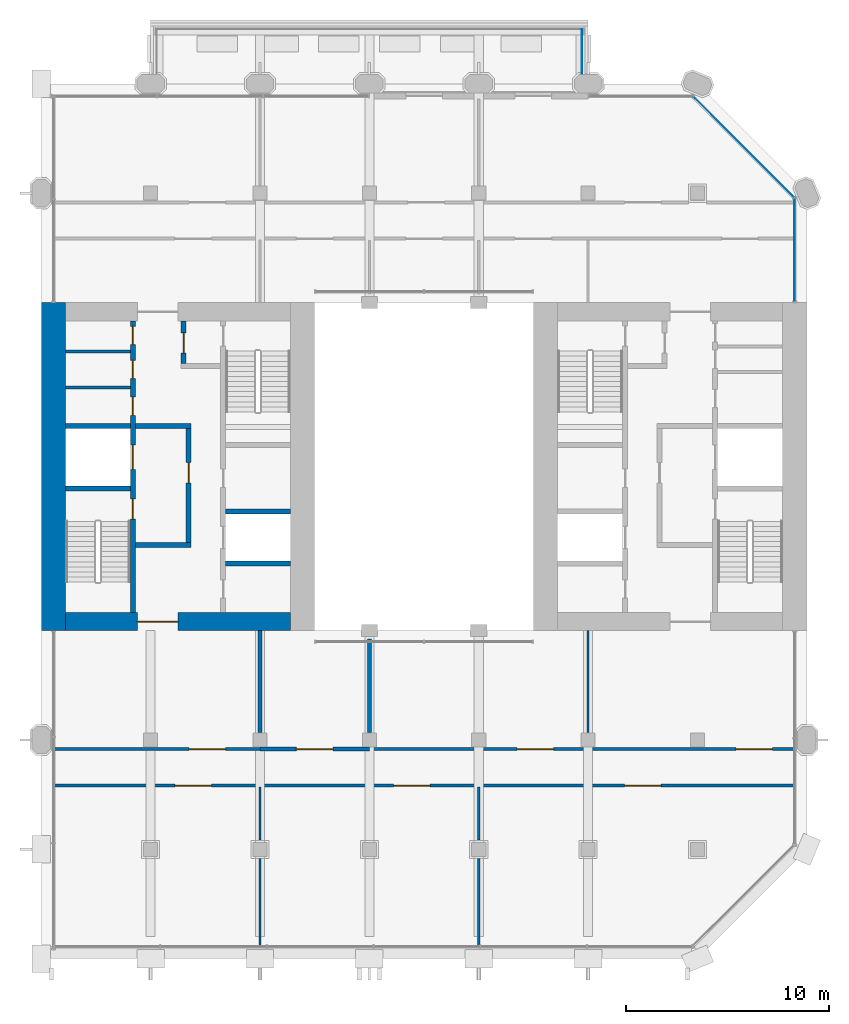
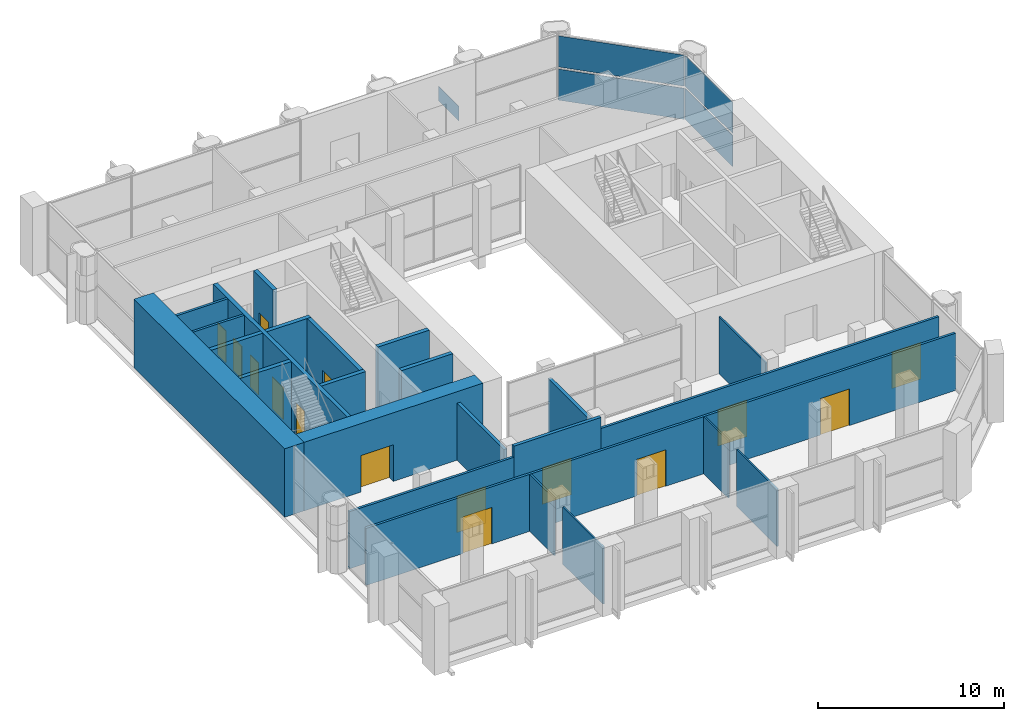
# One storey, part 8 of 13: 24 walls, 15 doors, 5 plates, 15 openings, 2 elements without a shape of their own.
"""IFC4 building model written with IfcOpenShell, lengths in metres."""

from ifc_helpers import new_model, si_unit, direction, frame, frame_2d, origin, origin_2d, place, context, subcontext, project, spatial, rectangle, extrude, material, layer, layer_set, type_object, element, fill, aggregate, save


model = new_model("IFC4")

# Units and contexts
model_context = context("Model", 3, precision=1e-05, world=origin(), true_north=direction((0.0, 1.0)))
body_context = subcontext(model_context, "Body", "Model", "MODEL_VIEW")
ifc_project = project(units=[si_unit("LENGTHUNIT", "METRE"), si_unit("AREAUNIT", "SQUARE_METRE"), si_unit("VOLUMEUNIT", "CUBIC_METRE"), si_unit("PLANEANGLEUNIT", "RADIAN"), si_unit("MASSUNIT", "GRAM", prefix="KILO")], contexts=[model_context])

# Site, building, storey
site_placement = place(None, origin())
site = spatial("IfcSite", under=ifc_project, at=site_placement, CompositionType="ELEMENT")
building_placement = place(site_placement, origin())
building = spatial("IfcBuilding", under=site, at=building_placement, Name="Tabaq Tower and Sports Hall", CompositionType="ELEMENT")
storey_placement = place(building_placement, frame((0.0, 0.0, 255.699951171875)))
storey = spatial("IfcBuildingStorey", under=building, at=storey_placement, Name="L62", CompositionType="ELEMENT", Elevation=255.699951171875)

# Curtain wall, plates
ifc_material_1 = material(Name="Aluminium alloy 6063-T6 framed glazing", Category="aluminium")
curtain_wall_type = type_object("IfcCurtainWallType", Name="CW3 curtain wall", PredefinedType="USERDEFINED", material=ifc_material_1)
curtain_wall_1_placement = place(storey_placement, origin())
curtain_wall_1 = element("IfcCurtainWall", 1, at=curtain_wall_1_placement, inside=storey, type_object=curtain_wall_type, Name="Garden Floor Wall L62 E", ObjectType="GARDEN FLOOR WALL", PredefinedType="USERDEFINED")
ifc_material_2 = material(Name="Clear low-emissivity glass 28 mm", Category="glass")
ifc_layer_1 = layer(ifc_material_2, 0.028076171875)
ifc_layer_set_1 = layer_set([ifc_layer_1], Name="CW3 glass panel 28")
plate_type_1 = type_object("IfcPlateType", Name="CW3 glass panel 28", PredefinedType="CURTAIN_PANEL", material=ifc_layer_set_1)
plate_1_placement = place(storey_placement, frame((42.60009765625, 35.0068359375, 0.14013671875), z_axis=(0.0, 0.0, 1.0), x_axis=(0.0, 1.0, 0.0)))
plate_1 = element("IfcPlate", 2, at=plate_1_placement, type_object=plate_type_1, Name="CW3 panel 1.1", PredefinedType="CURTAIN_PANEL", context=body_context, shape_type="SweptSolid", body=[
    extrude(rectangle(XDim=5.093505859375, YDim=0.028076171875, at=origin_2d()), origin(), (0.0, 0.0, 1.0), 2.0400390625),
])
plate_2_placement = place(storey_placement, frame((42.60009765625, 35.0068359375, 2.320068359375), z_axis=(0.0, 0.0, 1.0), x_axis=(0.0, 1.0, 0.0)))
plate_2 = element("IfcPlate", 3, at=plate_2_placement, type_object=plate_type_1, Name="CW3 panel 1.2", PredefinedType="CURTAIN_PANEL", context=body_context, shape_type="SweptSolid", body=[
    extrude(rectangle(XDim=5.093505859375, YDim=0.028076171875, at=origin_2d()), origin(), (0.0, 0.0, 1.0), 2.0400390625),
])
aggregate(curtain_wall_1, [plate_1, plate_2])

curtain_wall_2_placement = place(storey_placement, origin())
curtain_wall_2 = element("IfcCurtainWall", 4, at=curtain_wall_2_placement, inside=storey, type_object=curtain_wall_type, Name="Garden Floor Wall L62 NE", ObjectType="GARDEN FLOOR WALL", PredefinedType="USERDEFINED")
plate_3_placement = place(storey_placement, frame((40.07568359375, 40.07568359375, 0.14013671875), z_axis=(0.0, 0.0, 1.0), x_axis=(-0.707106781187, 0.707106781187, 0.0)))
plate_3 = element("IfcPlate", 5, at=plate_3_placement, type_object=plate_type_1, Name="CW3 panel 1.1", PredefinedType="CURTAIN_PANEL", context=body_context, shape_type="SweptSolid", body=[
    extrude(rectangle(XDim=7.019775390625, YDim=0.028076171875, at=origin_2d()), origin(), (0.0, 0.0, 1.0), 2.0400390625),
])
plate_4_placement = place(storey_placement, frame((40.07568359375, 40.07568359375, 2.320068359375), z_axis=(0.0, 0.0, 1.0), x_axis=(-0.707106781187, 0.707106781187, 0.0)))
plate_4 = element("IfcPlate", 6, at=plate_4_placement, type_object=plate_type_1, Name="CW3 panel 1.2", PredefinedType="CURTAIN_PANEL", context=body_context, shape_type="SweptSolid", body=[
    extrude(rectangle(XDim=7.019775390625, YDim=0.028076171875, at=origin_2d()), origin(), (0.0, 0.0, 1.0), 2.0400390625),
])
aggregate(curtain_wall_2, [plate_3, plate_4])

# Plate
ifc_material_3 = material(Name="Clear low-emissivity glass 28 mm", Category="glass")
ifc_layer_2 = layer(ifc_material_3, 0.02001953125)
ifc_layer_set_2 = layer_set([ifc_layer_2], Name="Laminated glass tray guard panel 20")
plate_type_2 = type_object("IfcPlateType", Name="Laminated glass tray guard panel 20", PredefinedType="USERDEFINED", material=ifc_layer_set_2)
plate_5_placement = place(storey_placement, frame((32.10009765625, 43.699951171875, 0.0), z_axis=(0.0, 0.0, 1.0), x_axis=(0.0, 1.0, 0.0)))
element("IfcPlate", 7, at=plate_5_placement, inside=storey, type_object=plate_type_2, Name="Tray guard glass L62", ObjectType="GUARD GLASS", PredefinedType="USERDEFINED", context=body_context, shape_type="SweptSolid", body=[
    extrude(rectangle(XDim=2.199951171875, YDim=0.02001953125, at=frame_2d((1.10009765625, 0.0))), origin(), (0.0, 0.0, 1.0), 0.949951171875),
])

# Walls
ifc_material_4 = material(Name="Blockwork", Category="masonry")
ifc_layer_3 = layer(ifc_material_4, 0.14990234375)
ifc_layer_set_3 = layer_set([ifc_layer_3], Name="Core room partition 150 Blockwork")
wall_type_1 = type_object("IfcWallType", Name="Core room partition 150 Blockwork", PredefinedType="PARTITIONING", material=ifc_layer_set_3)
for number, where, z_axis, x_axis, name in (
    (8, (6.60009765625, 28.200927734375, 0.0), (0.0, 0.0, 1.0), (1.0, 0.0, 0.0), "Core room partition W L62"),
    (9, (6.60009765625, 29.97705078125, 0.0), (0.0, 0.0, 1.0), (1.0, 0.0, 0.0), "Core room partition W L62"),
):
    element("IfcWall", number, at=place(storey_placement, frame(where, z_axis=z_axis, x_axis=x_axis)), inside=storey, type_object=wall_type_1, Name=name, PredefinedType="PARTITIONING", context=body_context, shape_type="SweptSolid", body=[
        extrude(rectangle(XDim=3.199951171875, YDim=0.14990234375, at=frame_2d((1.60009765625, 0.0))), origin(), (0.0, 0.0, 1.0), 4.5),
    ])
ifc_material_5 = material(Name="Concrete C40/50", Category="concrete")
ifc_layer_4 = layer(ifc_material_5, 1.199951171875)
ifc_layer_set_4 = layer_set([ifc_layer_4], Name="Core wall 1200 Concrete C40/50")
wall_type_2 = type_object("IfcWallType", Name="Core wall 1200 Concrete C40/50", PredefinedType="SOLIDWALL", material=ifc_layer_set_4)
wall_1_placement = place(storey_placement, frame((6.0, 16.199951171875, 0.0), z_axis=(0.0, 0.0, 1.0), x_axis=(0.0, 1.0, 0.0)))
element("IfcWall", 10, at=wall_1_placement, inside=storey, type_object=wall_type_2, Name="Core wall W L62", PredefinedType="SOLIDWALL", context=body_context, shape_type="SweptSolid", body=[
    extrude(rectangle(XDim=16.199951171875, YDim=1.199951171875, at=frame_2d((8.10009765625, 0.0))), origin(), (0.0, 0.0, 1.0), 4.5),
])

# Wall, opening, door
ifc_material_6 = material(Name="Concrete C40/50", Category="concrete")
ifc_layer_5 = layer(ifc_material_6, 0.89990234375)
ifc_layer_set_5 = layer_set([ifc_layer_5], Name="Core wall 900 Concrete C40/50")
wall_type_3 = type_object("IfcWallType", Name="Core wall 900 Concrete C40/50", PredefinedType="SOLIDWALL", material=ifc_layer_set_5)
wall_2_placement = place(storey_placement, frame((17.699951171875, 16.64990234375, 0.0), z_axis=(0.0, 0.0, 1.0), x_axis=(-1.0, 0.0, 0.0)))
wall_2 = element("IfcWall", 11, at=wall_2_placement, inside=storey, type_object=wall_type_3, Name="Core wall W L62", PredefinedType="SOLIDWALL", context=body_context, shape_type="SweptSolid", body=[
    extrude(rectangle(XDim=11.099853515625, YDim=0.89990234375, at=frame_2d((5.5498046875, 0.0))), origin(), (0.0, 0.0, 1.0), 4.5),
])
opening_1_placement = place(wall_2_placement, frame((5.550048828125, 0.0, 0.0)))
opening_1 = element("IfcOpeningElement", 12, at=opening_1_placement, cuts=wall_2, Name="Opening PD-WL62-01", PredefinedType="OPENING", context=body_context, shape_type="SweptSolid", body=[
    extrude(rectangle(XDim=2.0, YDim=2.39990234375, at=frame_2d((1.0, 1.199951171875))), frame((0.0, 0.449951171875, 0.0), z_axis=(0.0, -1.0, 0.0), x_axis=(1.0, 0.0, 0.0)), (0.0, 0.0, 1.0), 0.89990234375),
])
ifc_material_7 = material(Name="Steel fire door", Category="steel")
door_type_1 = type_object("IfcDoorType", Name="Core entrance door 2000", OperationType="DOUBLE_DOOR_SINGLE_SWING", PredefinedType="DOOR", material=ifc_material_7)
door_1_placement = place(opening_1_placement, origin())
door_1 = element("IfcDoor", 13, at=door_1_placement, inside=storey, type_object=door_type_1, Name="Core entrance south W L62", OperationType="DOUBLE_DOOR_SINGLE_SWING", OverallHeight=2.39990234375, OverallWidth=2.0, PredefinedType="DOOR", context=body_context, shape_type="SweptSolid", body=[
    extrude(rectangle(XDim=2.0, YDim=2.39990234375, at=frame_2d((1.0, 1.199951171875))), frame((0.0, 0.02490234375, 0.0), z_axis=(0.0, -1.0, 0.0), x_axis=(1.0, 0.0, 0.0)), (0.0, 0.0, 1.0), 0.050048828125),
])
fill(opening_1, door_1)

# Wall
ifc_material_8 = material(Name="Blockwork", Category="masonry")
ifc_layer_6 = layer(ifc_material_8, 0.199951171875)
ifc_layer_set_6 = layer_set([ifc_layer_6], Name="Fire compartment wall 200 Blockwork")
wall_type_4 = type_object("IfcWallType", Name="Fire compartment wall 200 Blockwork", PredefinedType="PARTITIONING", material=ifc_layer_set_6)
wall_3_placement = place(storey_placement, frame((21.60009765625, 15.780029296875, 0.0), z_axis=(0.0, 0.0, 1.0), x_axis=(0.0, -1.0, 0.0)))
element("IfcWall", 14, at=wall_3_placement, inside=storey, type_object=wall_type_4, Name="Compartment wall L62", PredefinedType="PARTITIONING", context=body_context, shape_type="SweptSolid", body=[
    extrude(rectangle(XDim=4.610107421875, YDim=0.199951171875, at=frame_2d((2.30517578125, 0.0))), origin(), (0.0, 0.0, 1.0), 3.75),
])

# Wall, opening, door
wall_4_placement = place(storey_placement, frame((16.199951171875, 10.35009765625, 0.0), z_axis=(0.0, 0.0, 1.0), x_axis=(1.0, 0.0, 0.0)))
wall_4 = element("IfcWall", 15, at=wall_4_placement, inside=storey, type_object=wall_type_4, Name="Compartment wall L62", PredefinedType="PARTITIONING", context=body_context, shape_type="SweptSolid", body=[
    extrude(rectangle(XDim=5.400146484375, YDim=0.199951171875, at=frame_2d((2.7001953125, 0.0))), origin(), (0.0, 0.0, 1.0), 4.5),
])
opening_2_placement = place(wall_4_placement, frame((1.800048828125, 0.0, 0.0)))
opening_2 = element("IfcOpeningElement", 16, at=opening_2_placement, cuts=wall_4, Name="Opening L62-011", PredefinedType="OPENING", context=body_context, shape_type="SweptSolid", body=[
    extrude(rectangle(XDim=1.800048828125, YDim=2.39990234375, at=frame_2d((0.89990234375, 1.199951171875))), frame((0.0, 0.10009765625, 0.0), z_axis=(0.0, -1.0, 0.0), x_axis=(1.0, 0.0, 0.0)), (0.0, 0.0, 1.0), 0.199951171875),
])
ifc_material_9 = material(Name="Timber leaf in steel frame", Category="steel")
door_type_2 = type_object("IfcDoorType", Name="Internal door 1800", OperationType="DOUBLE_DOOR_SINGLE_SWING", PredefinedType="DOOR", material=ifc_material_9)
door_2_placement = place(opening_2_placement, origin())
door_2 = element("IfcDoor", 17, at=door_2_placement, inside=storey, type_object=door_type_2, Name="Internal door L62-011", OperationType="DOUBLE_DOOR_SINGLE_SWING", OverallHeight=2.39990234375, OverallWidth=1.800048828125, PredefinedType="DOOR", context=body_context, shape_type="SweptSolid", body=[
    extrude(rectangle(XDim=1.800048828125, YDim=2.39990234375, at=frame_2d((0.89990234375, 1.199951171875))), frame((0.0, 0.02490234375, 0.0), z_axis=(0.0, -1.0, 0.0), x_axis=(1.0, 0.0, 0.0)), (0.0, 0.0, 1.0), 0.050048828125),
])
fill(opening_2, door_2)

# Walls
wall_5_placement = place(storey_placement, frame((16.199951171875, 16.199951171875, 0.0), z_axis=(0.0, 0.0, 1.0), x_axis=(0.0, -1.0, 0.0)))
element("IfcWall", 18, at=wall_5_placement, inside=storey, type_object=wall_type_4, Name="Compartment wall L62", PredefinedType="PARTITIONING", context=body_context, shape_type="SweptSolid", body=[
    extrude(rectangle(XDim=5.030029296875, YDim=0.199951171875, at=frame_2d((2.51513671875, 0.0))), origin(), (0.0, 0.0, 1.0), 3.75),
])
ifc_material_10 = material(Name="Gypsum board on steel studs", Category="steel")
ifc_layer_7 = layer(ifc_material_10, 0.10009765625)
ifc_layer_set_7 = layer_set([ifc_layer_7], Name="Partition 100 Gypsum board")
wall_type_5 = type_object("IfcWallType", Name="Partition 100 Gypsum board", PredefinedType="PARTITIONING", material=ifc_layer_set_7)
wall_6_placement = place(storey_placement, frame((27.0, 8.47509765625, 0.0), z_axis=(0.0, 0.0, 1.0), x_axis=(0.0, -1.0, 0.0)))
element("IfcWall", 19, at=wall_6_placement, inside=storey, type_object=wall_type_5, Name="Partition wall L62", PredefinedType="PARTITIONING", context=body_context, shape_type="SweptSolid", body=[
    extrude(rectangle(XDim=2.62451171875, YDim=0.10009765625, at=frame_2d((1.312255859375, 0.0))), origin(), (0.0, 0.0, 1.0), 3.75),
])
wall_7_placement = place(storey_placement, frame((27.0, 4.94921875, 0.0), z_axis=(0.0, 0.0, 1.0), x_axis=(0.0, -1.0, 0.0)))
element("IfcWall", 20, at=wall_7_placement, inside=storey, type_object=wall_type_5, Name="Partition wall L62", PredefinedType="PARTITIONING", context=body_context, shape_type="SweptSolid", body=[
    extrude(rectangle(XDim=4.34912109375, YDim=0.10009765625, at=frame_2d((2.174560546875, 0.0))), origin(), (0.0, 0.0, 1.0), 3.75),
])
wall_8_placement = place(storey_placement, frame((16.199951171875, 8.47509765625, 0.0), z_axis=(0.0, 0.0, 1.0), x_axis=(0.0, -1.0, 0.0)))
element("IfcWall", 21, at=wall_8_placement, inside=storey, type_object=wall_type_5, Name="Partition wall L62", PredefinedType="PARTITIONING", context=body_context, shape_type="SweptSolid", body=[
    extrude(rectangle(XDim=2.62451171875, YDim=0.10009765625, at=frame_2d((1.312255859375, 0.0))), origin(), (0.0, 0.0, 1.0), 3.75),
])
wall_9_placement = place(storey_placement, frame((16.199951171875, 4.94921875, 0.0), z_axis=(0.0, 0.0, 1.0), x_axis=(0.0, -1.0, 0.0)))
element("IfcWall", 22, at=wall_9_placement, inside=storey, type_object=wall_type_5, Name="Partition wall L62", PredefinedType="PARTITIONING", context=body_context, shape_type="SweptSolid", body=[
    extrude(rectangle(XDim=4.34912109375, YDim=0.10009765625, at=frame_2d((2.174560546875, 0.0))), origin(), (0.0, 0.0, 1.0), 3.75),
])
wall_10_placement = place(storey_placement, frame((32.39990234375, 11.169921875, 0.0), z_axis=(0.0, 0.0, 1.0), x_axis=(0.0, 1.0, 0.0)))
element("IfcWall", 23, at=wall_10_placement, inside=storey, type_object=wall_type_5, Name="Partition wall L62", PredefinedType="PARTITIONING", context=body_context, shape_type="SweptSolid", body=[
    extrude(rectangle(XDim=5.030029296875, YDim=0.10009765625, at=frame_2d((2.51513671875, 0.0))), origin(), (0.0, 0.0, 1.0), 3.75),
])

# Wall, openings, doors
ifc_material_11 = material(Name="Blockwork", Category="masonry")
ifc_layer_8 = layer(ifc_material_11, 0.14990234375)
ifc_layer_set_8 = layer_set([ifc_layer_8], Name="Separating wall 150 Blockwork")
wall_type_6 = type_object("IfcWallType", Name="Separating wall 150 Blockwork", PredefinedType="PARTITIONING", material=ifc_layer_set_8)
wall_11_placement = place(storey_placement, frame((42.60009765625, 8.550048828125, 0.0), z_axis=(0.0, 0.0, 1.0), x_axis=(-1.0, 0.0, 0.0)))
wall_11 = element("IfcWall", 24, at=wall_11_placement, inside=storey, type_object=wall_type_6, Name="Separating wall L62", PredefinedType="PARTITIONING", context=body_context, shape_type="SweptSolid", body=[
    extrude(rectangle(XDim=36.60009765625, YDim=0.14990234375, at=frame_2d((18.300048828125, 0.0))), origin(), (0.0, 0.0, 1.0), 3.75),
])
opening_3_placement = place(wall_11_placement, frame((6.60009765625, 0.0, 0.0)))
opening_3 = element("IfcOpeningElement", 25, at=opening_3_placement, cuts=wall_11, Name="Opening L62-007", PredefinedType="OPENING", context=body_context, shape_type="SweptSolid", body=[
    extrude(rectangle(XDim=1.800048828125, YDim=2.39990234375, at=frame_2d((0.89990234375, 1.199951171875))), frame((0.0, 0.074951171875, 0.0), z_axis=(0.0, -1.0, 0.0), x_axis=(1.0, 0.0, 0.0)), (0.0, 0.0, 1.0), 0.14990234375),
])
opening_4_placement = place(wall_11_placement, frame((18.0, 0.0, 0.0)))
opening_4 = element("IfcOpeningElement", 26, at=opening_4_placement, cuts=wall_11, Name="Opening L62-008", PredefinedType="OPENING", context=body_context, shape_type="SweptSolid", body=[
    extrude(rectangle(XDim=1.800048828125, YDim=2.39990234375, at=frame_2d((0.89990234375, 1.199951171875))), frame((0.0, 0.074951171875, 0.0), z_axis=(0.0, -1.0, 0.0), x_axis=(1.0, 0.0, 0.0)), (0.0, 0.0, 1.0), 0.14990234375),
])
opening_5_placement = place(wall_11_placement, frame((28.800048828125, 0.0, 0.0)))
opening_5 = element("IfcOpeningElement", 27, at=opening_5_placement, cuts=wall_11, Name="Opening L62-009", PredefinedType="OPENING", context=body_context, shape_type="SweptSolid", body=[
    extrude(rectangle(XDim=1.800048828125, YDim=2.39990234375, at=frame_2d((0.89990234375, 1.199951171875))), frame((0.0, 0.074951171875, 0.0), z_axis=(0.0, -1.0, 0.0), x_axis=(1.0, 0.0, 0.0)), (0.0, 0.0, 1.0), 0.14990234375),
])
door_3_placement = place(opening_3_placement, origin())
door_3 = element("IfcDoor", 28, at=door_3_placement, inside=storey, type_object=door_type_2, Name="Internal door L62-007", OperationType="DOUBLE_DOOR_SINGLE_SWING", OverallHeight=2.39990234375, OverallWidth=1.800048828125, PredefinedType="DOOR", context=body_context, shape_type="SweptSolid", body=[
    extrude(rectangle(XDim=1.800048828125, YDim=2.39990234375, at=frame_2d((0.89990234375, 1.199951171875))), frame((0.0, 0.02490234375, 0.0), z_axis=(0.0, -1.0, 0.0), x_axis=(1.0, 0.0, 0.0)), (0.0, 0.0, 1.0), 0.050048828125),
])
fill(opening_3, door_3)
door_4_placement = place(opening_4_placement, origin())
door_4 = element("IfcDoor", 29, at=door_4_placement, inside=storey, type_object=door_type_2, Name="Internal door L62-008", OperationType="DOUBLE_DOOR_SINGLE_SWING", OverallHeight=2.39990234375, OverallWidth=1.800048828125, PredefinedType="DOOR", context=body_context, shape_type="SweptSolid", body=[
    extrude(rectangle(XDim=1.800048828125, YDim=2.39990234375, at=frame_2d((0.89990234375, 1.199951171875))), frame((0.0, 0.02490234375, 0.0), z_axis=(0.0, -1.0, 0.0), x_axis=(1.0, 0.0, 0.0)), (0.0, 0.0, 1.0), 0.050048828125),
])
fill(opening_4, door_4)
door_5_placement = place(opening_5_placement, origin())
door_5 = element("IfcDoor", 30, at=door_5_placement, inside=storey, type_object=door_type_2, Name="Internal door L62-009", OperationType="DOUBLE_DOOR_SINGLE_SWING", OverallHeight=2.39990234375, OverallWidth=1.800048828125, PredefinedType="DOOR", context=body_context, shape_type="SweptSolid", body=[
    extrude(rectangle(XDim=1.800048828125, YDim=2.39990234375, at=frame_2d((0.89990234375, 1.199951171875))), frame((0.0, 0.02490234375, 0.0), z_axis=(0.0, -1.0, 0.0), x_axis=(1.0, 0.0, 0.0)), (0.0, 0.0, 1.0), 0.050048828125),
])
fill(opening_5, door_5)

wall_12_placement = place(storey_placement, frame((21.60009765625, 10.35009765625, 0.0), z_axis=(0.0, 0.0, 1.0), x_axis=(1.0, 0.0, 0.0)))
wall_12 = element("IfcWall", 31, at=wall_12_placement, inside=storey, type_object=wall_type_6, Name="Separating wall L62", PredefinedType="PARTITIONING", context=body_context, shape_type="SweptSolid", body=[
    extrude(rectangle(XDim=21.0, YDim=0.14990234375, at=frame_2d((10.5, 0.0))), origin(), (0.0, 0.0, 1.0), 3.75),
])
opening_6_placement = place(wall_12_placement, frame((7.300048828125, 0.0, 0.0)))
opening_6 = element("IfcOpeningElement", 32, at=opening_6_placement, cuts=wall_12, Name="Opening L62-010", PredefinedType="OPENING", context=body_context, shape_type="SweptSolid", body=[
    extrude(rectangle(XDim=1.800048828125, YDim=2.39990234375, at=frame_2d((0.89990234375, 1.199951171875))), frame((0.0, 0.074951171875, 0.0), z_axis=(0.0, -1.0, 0.0), x_axis=(1.0, 0.0, 0.0)), (0.0, 0.0, 1.0), 0.14990234375),
])
opening_7_placement = place(wall_12_placement, frame((18.10009765625, 0.0, 0.0)))
opening_7 = element("IfcOpeningElement", 33, at=opening_7_placement, cuts=wall_12, Name="Opening L62-014", PredefinedType="OPENING", context=body_context, shape_type="SweptSolid", body=[
    extrude(rectangle(XDim=1.800048828125, YDim=2.39990234375, at=frame_2d((0.89990234375, 1.199951171875))), frame((0.0, 0.074951171875, 0.0), z_axis=(0.0, -1.0, 0.0), x_axis=(1.0, 0.0, 0.0)), (0.0, 0.0, 1.0), 0.14990234375),
])
door_6_placement = place(opening_6_placement, origin())
door_6 = element("IfcDoor", 34, at=door_6_placement, inside=storey, type_object=door_type_2, Name="Internal door L62-010", OperationType="DOUBLE_DOOR_SINGLE_SWING", OverallHeight=2.39990234375, OverallWidth=1.800048828125, PredefinedType="DOOR", context=body_context, shape_type="SweptSolid", body=[
    extrude(rectangle(XDim=1.800048828125, YDim=2.39990234375, at=frame_2d((0.89990234375, 1.199951171875))), frame((0.0, 0.02490234375, 0.0), z_axis=(0.0, -1.0, 0.0), x_axis=(1.0, 0.0, 0.0)), (0.0, 0.0, 1.0), 0.050048828125),
])
fill(opening_6, door_6)
door_7_placement = place(opening_7_placement, origin())
door_7 = element("IfcDoor", 35, at=door_7_placement, inside=storey, type_object=door_type_2, Name="Internal door L62-014", OperationType="DOUBLE_DOOR_SINGLE_SWING", OverallHeight=2.39990234375, OverallWidth=1.800048828125, PredefinedType="DOOR", context=body_context, shape_type="SweptSolid", body=[
    extrude(rectangle(XDim=1.800048828125, YDim=2.39990234375, at=frame_2d((0.89990234375, 1.199951171875))), frame((0.0, 0.02490234375, 0.0), z_axis=(0.0, -1.0, 0.0), x_axis=(1.0, 0.0, 0.0)), (0.0, 0.0, 1.0), 0.050048828125),
])
fill(opening_7, door_7)

# Wall, opening, door
wall_13_placement = place(storey_placement, frame((6.0, 10.35009765625, 0.0), z_axis=(0.0, 0.0, 1.0), x_axis=(1.0, 0.0, 0.0)))
wall_13 = element("IfcWall", 36, at=wall_13_placement, inside=storey, type_object=wall_type_6, Name="Separating wall L62", PredefinedType="PARTITIONING", context=body_context, shape_type="SweptSolid", body=[
    extrude(rectangle(XDim=10.199951171875, YDim=0.14990234375, at=frame_2d((5.10009765625, 0.0))), origin(), (0.0, 0.0, 1.0), 3.75),
])
opening_8_placement = place(wall_13_placement, frame((6.699951171875, 0.0, 0.0)))
opening_8 = element("IfcOpeningElement", 37, at=opening_8_placement, cuts=wall_13, Name="Opening L62-015", PredefinedType="OPENING", context=body_context, shape_type="SweptSolid", body=[
    extrude(rectangle(XDim=1.800048828125, YDim=2.39990234375, at=frame_2d((0.89990234375, 1.199951171875))), frame((0.0, 0.074951171875, 0.0), z_axis=(0.0, -1.0, 0.0), x_axis=(1.0, 0.0, 0.0)), (0.0, 0.0, 1.0), 0.14990234375),
])
door_8_placement = place(opening_8_placement, origin())
door_8 = element("IfcDoor", 38, at=door_8_placement, inside=storey, type_object=door_type_2, Name="Internal door L62-015", OperationType="DOUBLE_DOOR_SINGLE_SWING", OverallHeight=2.39990234375, OverallWidth=1.800048828125, PredefinedType="DOOR", context=body_context, shape_type="SweptSolid", body=[
    extrude(rectangle(XDim=1.800048828125, YDim=2.39990234375, at=frame_2d((0.89990234375, 1.199951171875))), frame((0.0, 0.02490234375, 0.0), z_axis=(0.0, -1.0, 0.0), x_axis=(1.0, 0.0, 0.0)), (0.0, 0.0, 1.0), 0.050048828125),
])
fill(opening_8, door_8)

# Wall, openings, doors
ifc_material_12 = material(Name="Concrete C40/50", Category="concrete")
ifc_layer_9 = layer(ifc_material_12, 0.25)
ifc_layer_set_9 = layer_set([ifc_layer_9], Name="Shaft and stair wall 250 Concrete C40/50")
wall_type_7 = type_object("IfcWallType", Name="Shaft and stair wall 250 Concrete C40/50", PredefinedType="SOLIDWALL", material=ifc_layer_set_9)
wall_14_placement = place(storey_placement, frame((9.925048828125, 17.10009765625, 0.0), z_axis=(0.0, 0.0, 1.0), x_axis=(0.0, 1.0, 0.0)))
wall_14 = element("IfcWall", 39, at=wall_14_placement, inside=storey, type_object=wall_type_7, Name="Shaft wall W L62", PredefinedType="SOLIDWALL", context=body_context, shape_type="SweptSolid", body=[
    extrude(rectangle(XDim=14.39990234375, YDim=0.25, at=frame_2d((7.199951171875, 0.0))), origin(), (0.0, 0.0, 1.0), 4.5),
])
opening_9_placement = place(wall_14_placement, frame((4.60009765625, 0.0, 0.0)))
opening_9 = element("IfcOpeningElement", 40, at=opening_9_placement, cuts=wall_14, Name="Opening SD-WL62-03", PredefinedType="OPENING", context=body_context, shape_type="SweptSolid", body=[
    extrude(rectangle(XDim=1.0, YDim=2.10009765625, at=frame_2d((0.5, 1.050048828125))), frame((0.0, 0.125, 0.0), z_axis=(0.0, -1.0, 0.0), x_axis=(1.0, 0.0, 0.0)), (0.0, 0.0, 1.0), 0.25),
])
opening_10_placement = place(wall_14_placement, frame((7.0625, 0.0, 0.0)))
opening_10 = element("IfcOpeningElement", 41, at=opening_10_placement, cuts=wall_14, Name="Opening LD-FF1-L62", PredefinedType="OPENING", context=body_context, shape_type="SweptSolid", body=[
    extrude(rectangle(XDim=1.199951171875, YDim=2.10009765625, at=frame_2d((0.60009765625, 1.050048828125))), frame((0.0, 0.125, 0.0), z_axis=(0.0, -1.0, 0.0), x_axis=(1.0, 0.0, 0.0)), (0.0, 0.0, 1.0), 0.25),
])
opening_11_placement = place(wall_14_placement, frame((9.7255859375, 0.0, 0.0)))
opening_11 = element("IfcOpeningElement", 42, at=opening_11_placement, cuts=wall_14, Name="Opening RD-WL62-09", PredefinedType="OPENING", context=body_context, shape_type="SweptSolid", body=[
    extrude(rectangle(XDim=0.89990234375, YDim=2.10009765625, at=frame_2d((0.449951171875, 1.050048828125))), frame((0.0, 0.125, 0.0), z_axis=(0.0, -1.0, 0.0), x_axis=(1.0, 0.0, 0.0)), (0.0, 0.0, 1.0), 0.25),
])
opening_12_placement = place(wall_14_placement, frame((11.5390625, 0.0, 0.0)))
opening_12 = element("IfcOpeningElement", 43, at=opening_12_placement, cuts=wall_14, Name="Opening RD-WL62-10", PredefinedType="OPENING", context=body_context, shape_type="SweptSolid", body=[
    extrude(rectangle(XDim=0.89990234375, YDim=2.10009765625, at=frame_2d((0.449951171875, 1.050048828125))), frame((0.0, 0.125, 0.0), z_axis=(0.0, -1.0, 0.0), x_axis=(1.0, 0.0, 0.0)), (0.0, 0.0, 1.0), 0.25),
])
opening_13_placement = place(wall_14_placement, frame((13.22607421875, 0.0, 0.0)))
opening_13 = element("IfcOpeningElement", 44, at=opening_13_placement, cuts=wall_14, Name="Opening RD-WL62-11", PredefinedType="OPENING", context=body_context, shape_type="SweptSolid", body=[
    extrude(rectangle(XDim=0.89990234375, YDim=2.10009765625, at=frame_2d((0.449951171875, 1.050048828125))), frame((0.0, 0.125, 0.0), z_axis=(0.0, -1.0, 0.0), x_axis=(1.0, 0.0, 0.0)), (0.0, 0.0, 1.0), 0.25),
])
ifc_material_13 = material(Name="Steel fire door", Category="steel")
door_type_3 = type_object("IfcDoorType", Name="Core room door 900", OperationType="SINGLE_SWING_LEFT", PredefinedType="DOOR", material=ifc_material_13)
door_9_placement = place(opening_11_placement, origin())
door_9 = element("IfcDoor", 45, at=door_9_placement, inside=storey, type_object=door_type_3, Name="Door Accessible WC W L62", OperationType="SINGLE_SWING_LEFT", OverallHeight=2.10009765625, OverallWidth=0.89990234375, PredefinedType="DOOR", context=body_context, shape_type="SweptSolid", body=[
    extrude(rectangle(XDim=0.89990234375, YDim=2.10009765625, at=frame_2d((0.449951171875, 1.050048828125))), frame((0.0, 0.02490234375, 0.0), z_axis=(0.0, -1.0, 0.0), x_axis=(1.0, 0.0, 0.0)), (0.0, 0.0, 1.0), 0.050048828125),
])
fill(opening_11, door_9)
door_10_placement = place(opening_12_placement, origin())
door_10 = element("IfcDoor", 46, at=door_10_placement, inside=storey, type_object=door_type_3, Name="Door Unisex WC W L62", OperationType="SINGLE_SWING_LEFT", OverallHeight=2.10009765625, OverallWidth=0.89990234375, PredefinedType="DOOR", context=body_context, shape_type="SweptSolid", body=[
    extrude(rectangle(XDim=0.89990234375, YDim=2.10009765625, at=frame_2d((0.449951171875, 1.050048828125))), frame((0.0, 0.02490234375, 0.0), z_axis=(0.0, -1.0, 0.0), x_axis=(1.0, 0.0, 0.0)), (0.0, 0.0, 1.0), 0.050048828125),
])
fill(opening_12, door_10)
door_11_placement = place(opening_13_placement, origin())
door_11 = element("IfcDoor", 47, at=door_11_placement, inside=storey, type_object=door_type_3, Name="Door Cleaner's Store W L62", OperationType="SINGLE_SWING_LEFT", OverallHeight=2.10009765625, OverallWidth=0.89990234375, PredefinedType="DOOR", context=body_context, shape_type="SweptSolid", body=[
    extrude(rectangle(XDim=0.89990234375, YDim=2.10009765625, at=frame_2d((0.449951171875, 1.050048828125))), frame((0.0, 0.02490234375, 0.0), z_axis=(0.0, -1.0, 0.0), x_axis=(1.0, 0.0, 0.0)), (0.0, 0.0, 1.0), 0.050048828125),
])
fill(opening_13, door_11)
ifc_material_14 = material(Name="Stainless steel", Category="steel")
door_type_4 = type_object("IfcDoorType", Name="Lift landing door 1200", OperationType="DOUBLE_DOOR_SLIDING", PredefinedType="DOOR", material=ifc_material_14)
door_12_placement = place(opening_10_placement, origin())
door_12 = element("IfcDoor", 48, at=door_12_placement, inside=storey, type_object=door_type_4, Name="Lift landing door FF1 W L62", OperationType="DOUBLE_DOOR_SLIDING", OverallHeight=2.10009765625, OverallWidth=1.199951171875, PredefinedType="DOOR", context=body_context, shape_type="SweptSolid", body=[
    extrude(rectangle(XDim=1.199951171875, YDim=2.10009765625, at=frame_2d((0.60009765625, 1.050048828125))), frame((0.0, 0.02490234375, 0.0), z_axis=(0.0, -1.0, 0.0), x_axis=(1.0, 0.0, 0.0)), (0.0, 0.0, 1.0), 0.050048828125),
])
fill(opening_10, door_12)
ifc_material_15 = material(Name="Steel fire door", Category="steel")
door_type_5 = type_object("IfcDoorType", Name="Stair door 1000", OperationType="SINGLE_SWING_LEFT", PredefinedType="DOOR", material=ifc_material_15)
door_13_placement = place(opening_9_placement, origin())
door_13 = element("IfcDoor", 49, at=door_13_placement, inside=storey, type_object=door_type_5, Name="Stair door ST1 W L62", OperationType="SINGLE_SWING_LEFT", OverallHeight=2.10009765625, OverallWidth=1.0, PredefinedType="DOOR", context=body_context, shape_type="SweptSolid", body=[
    extrude(rectangle(XDim=1.0, YDim=2.10009765625, at=frame_2d((0.5, 1.050048828125))), frame((0.0, 0.02490234375, 0.0), z_axis=(0.0, -1.0, 0.0), x_axis=(1.0, 0.0, 0.0)), (0.0, 0.0, 1.0), 0.050048828125),
])
fill(opening_9, door_13)

# Walls
for number, where, z_axis, x_axis, name in (
    (50, (6.60009765625, 23.22509765625, 0.0), (0.0, 0.0, 1.0), (1.0, 0.0, 0.0), "Stair enclosure wall W L62"),
    (51, (14.5, 22.074951171875, 0.0), (0.0, 0.0, 1.0), (1.0, 0.0, 0.0), "Shaft wall W L62"),
    (52, (6.60009765625, 26.300048828125, 0.0), (0.0, 0.0, 1.0), (1.0, 0.0, 0.0), "Shaft wall W L62"),
):
    element("IfcWall", number, at=place(storey_placement, frame(where, z_axis=z_axis, x_axis=x_axis)), inside=storey, type_object=wall_type_7, Name=name, PredefinedType="SOLIDWALL", context=body_context, shape_type="SweptSolid", body=[
        extrude(rectangle(XDim=3.199951171875, YDim=0.25, at=frame_2d((1.60009765625, 0.0))), origin(), (0.0, 0.0, 1.0), 4.5),
    ])
for number, where, z_axis, x_axis, name in (
    (53, (10.050048828125, 26.300048828125, 0.0), (0.0, 0.0, 1.0), (1.0, 0.0, 0.0), "Fire-fighting lobby wall W L62"),
    (54, (10.050048828125, 20.425048828125, 0.0), (0.0, 0.0, 1.0), (1.0, 0.0, 0.0), "Fire-fighting lobby wall W L62"),
):
    element("IfcWall", number, at=place(storey_placement, frame(where, z_axis=z_axis, x_axis=x_axis)), inside=storey, type_object=wall_type_7, Name=name, PredefinedType="SOLIDWALL", context=body_context, shape_type="SweptSolid", body=[
        extrude(rectangle(XDim=2.75, YDim=0.25, at=frame_2d((1.375, 0.0))), origin(), (0.0, 0.0, 1.0), 4.5),
    ])

# Wall, opening, door
wall_15_placement = place(storey_placement, frame((12.425048828125, 29.39990234375, 0.0), z_axis=(0.0, 0.0, 1.0), x_axis=(0.0, 1.0, 0.0)))
wall_15 = element("IfcWall", 55, at=wall_15_placement, inside=storey, type_object=wall_type_7, Name="Fire-fighting lobby wall W L62", PredefinedType="SOLIDWALL", context=body_context, shape_type="SweptSolid", body=[
    extrude(rectangle(XDim=2.10009765625, YDim=0.25, at=frame_2d((1.050048828125, 0.0))), origin(), (0.0, 0.0, 1.0), 4.5),
])
opening_14_placement = place(wall_15_placement, frame((0.5, 0.0, 0.0)))
opening_14 = element("IfcOpeningElement", 56, at=opening_14_placement, cuts=wall_15, Name="Opening FD-WL62-06", PredefinedType="OPENING", context=body_context, shape_type="SweptSolid", body=[
    extrude(rectangle(XDim=1.0, YDim=2.10009765625, at=frame_2d((0.5, 1.050048828125))), frame((0.0, 0.125, 0.0), z_axis=(0.0, -1.0, 0.0), x_axis=(1.0, 0.0, 0.0)), (0.0, 0.0, 1.0), 0.25),
])
ifc_material_16 = material(Name="Steel fire door", Category="steel")
door_type_6 = type_object("IfcDoorType", Name="Fire-fighting lobby door 1000", OperationType="SINGLE_SWING_LEFT", PredefinedType="DOOR", material=ifc_material_16)
door_14_placement = place(opening_14_placement, origin())
door_14 = element("IfcDoor", 57, at=door_14_placement, inside=storey, type_object=door_type_6, Name="Stair lobby door W L62", OperationType="SINGLE_SWING_LEFT", OverallHeight=2.10009765625, OverallWidth=1.0, PredefinedType="DOOR", context=body_context, shape_type="SweptSolid", body=[
    extrude(rectangle(XDim=1.0, YDim=2.10009765625, at=frame_2d((0.5, 1.050048828125))), frame((0.0, 0.02490234375, 0.0), z_axis=(0.0, -1.0, 0.0), x_axis=(1.0, 0.0, 0.0)), (0.0, 0.0, 1.0), 0.050048828125),
])
fill(opening_14, door_14)

wall_16_placement = place(storey_placement, frame((12.675048828125, 20.550048828125, 0.0), z_axis=(0.0, 0.0, 1.0), x_axis=(0.0, 1.0, 0.0)))
wall_16 = element("IfcWall", 58, at=wall_16_placement, inside=storey, type_object=wall_type_7, Name="Fire-fighting lobby wall W L62", PredefinedType="SOLIDWALL", context=body_context, shape_type="SweptSolid", body=[
    extrude(rectangle(XDim=5.625, YDim=0.25, at=frame_2d((2.8125, 0.0))), origin(), (0.0, 0.0, 1.0), 4.5),
])
opening_15_placement = place(wall_16_placement, frame((2.949951171875, 0.0, 0.0)))
opening_15 = element("IfcOpeningElement", 59, at=opening_15_placement, cuts=wall_16, Name="Opening FD-WL62-04", PredefinedType="OPENING", context=body_context, shape_type="SweptSolid", body=[
    extrude(rectangle(XDim=1.0, YDim=2.10009765625, at=frame_2d((0.5, 1.050048828125))), frame((0.0, 0.125, 0.0), z_axis=(0.0, -1.0, 0.0), x_axis=(1.0, 0.0, 0.0)), (0.0, 0.0, 1.0), 0.25),
])
door_15_placement = place(opening_15_placement, origin())
door_15 = element("IfcDoor", 60, at=door_15_placement, inside=storey, type_object=door_type_6, Name="Fire-fighting lobby door W L62", OperationType="SINGLE_SWING_LEFT", OverallHeight=2.10009765625, OverallWidth=1.0, PredefinedType="DOOR", context=body_context, shape_type="SweptSolid", body=[
    extrude(rectangle(XDim=1.0, YDim=2.10009765625, at=frame_2d((0.5, 1.050048828125))), frame((0.0, 0.02490234375, 0.0), z_axis=(0.0, -1.0, 0.0), x_axis=(1.0, 0.0, 0.0)), (0.0, 0.0, 1.0), 0.050048828125),
])
fill(opening_15, door_15)

# Wall
wall_17_placement = place(storey_placement, frame((14.5, 19.52490234375, 0.0), z_axis=(0.0, 0.0, 1.0), x_axis=(1.0, 0.0, 0.0)))
element("IfcWall", 61, at=wall_17_placement, inside=storey, type_object=wall_type_7, Name="Shaft wall W L62", PredefinedType="SOLIDWALL", context=body_context, shape_type="SweptSolid", body=[
    extrude(rectangle(XDim=3.199951171875, YDim=0.25, at=frame_2d((1.60009765625, 0.0))), origin(), (0.0, 0.0, 1.0), 4.5),
])

save(model, "model.ifc")
